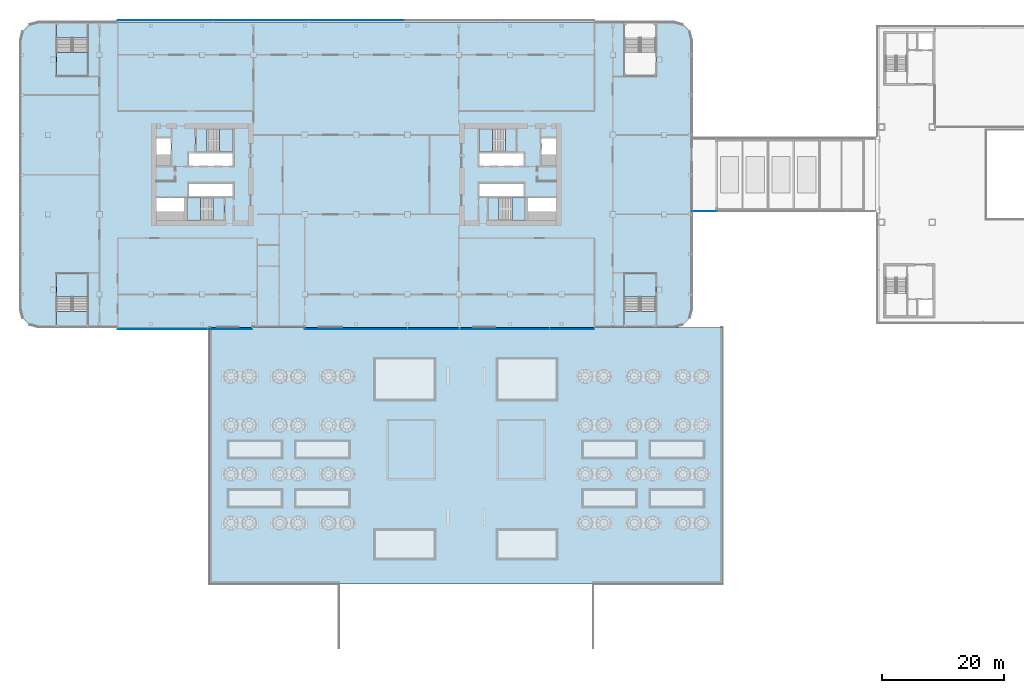
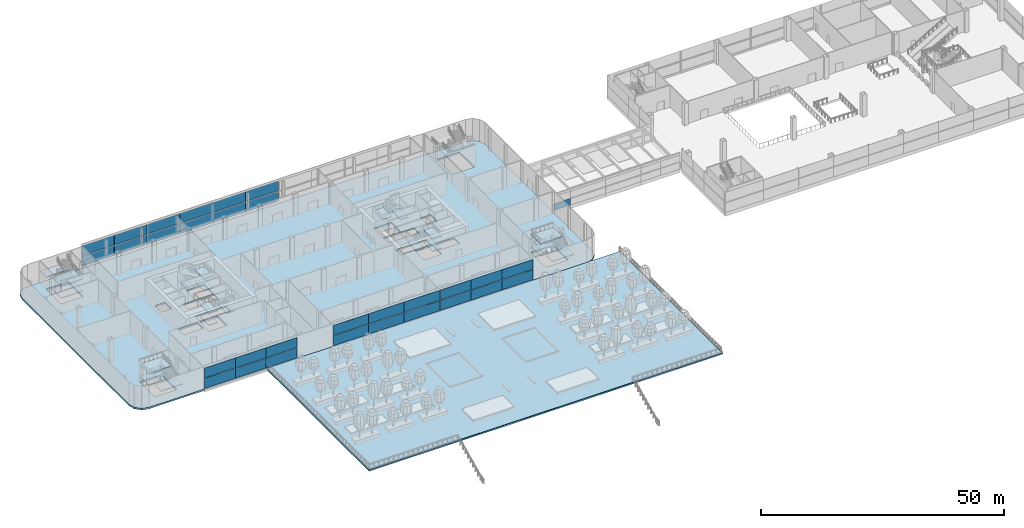
# One storey, part 26 of 100: 31 plates, 24 slabs, 12 elements without a shape of their own.
"""IFC4 building model written with IfcOpenShell, lengths in metres."""

from ifc_helpers import new_model, si_unit, direction, frame, origin, origin_2d, place, context, subcontext, project, spatial, polyline, rectangle, outline, extrude, material, layer, layer_set, type_object, element, aggregate, save


model = new_model("IFC4")

# Units and contexts
model_context = context("Model", 3, precision=1e-05, world=origin(), true_north=direction((0.0, 1.0)))
body_context = subcontext(model_context, "Body", "Model", "MODEL_VIEW")
ifc_project = project(units=[si_unit("LENGTHUNIT", "METRE"), si_unit("AREAUNIT", "SQUARE_METRE"), si_unit("VOLUMEUNIT", "CUBIC_METRE"), si_unit("PLANEANGLEUNIT", "RADIAN"), si_unit("MASSUNIT", "GRAM", prefix="KILO")], contexts=[model_context])

# Site, building, storey
site_placement = place(None, origin())
site = spatial("IfcSite", under=ifc_project, at=site_placement, CompositionType="ELEMENT")
building_placement = place(site_placement, origin())
building = spatial("IfcBuilding", under=site, at=building_placement, Name="Hakoniwa Tower and Hamabe Station Hall", CompositionType="ELEMENT")
storey_placement = place(building_placement, frame((0.0, 0.0, 9.0)))
storey = spatial("IfcBuildingStorey", under=building, at=storey_placement, Name="L02", CompositionType="ELEMENT", Elevation=9.0)

# Stair, slabs
ifc_material_1 = material(Name="Concrete C40", Category="concrete")
stair_type_1 = type_object("IfcStairType", Name="ESCAPE STAIR 1800", PredefinedType="HALF_TURN_STAIR", material=ifc_material_1)
stair_1_placement = place(storey_placement, origin())
stair_1 = element("IfcStair", 1, at=stair_1_placement, inside=storey, type_object=stair_type_1, Name="Escape stair ST-1 L02", PredefinedType="HALF_TURN_STAIR")
ifc_material_2 = material(Name="Concrete C40", Category="concrete")
ifc_layer_1 = layer(ifc_material_2, 0.25)
ifc_layer_set_1 = layer_set([ifc_layer_1], Name="CORE STAIR LANDING 250")
slab_type_1 = type_object("IfcSlabType", Name="CORE STAIR LANDING 250", PredefinedType="LANDING", material=ifc_layer_set_1)
slab_1_placement = place(storey_placement, frame((0.0, 0.0, 1.25)))
slab_1 = element("IfcSlab", 2, at=slab_1_placement, type_object=slab_type_1, Name="ST-1 landing 1", PredefinedType="LANDING", context=body_context, shape_type="SweptSolid", body=[
    extrude(outline(polyline([(-22.320068359375, 3.75), (-20.14990234375, 3.75), (-20.14990234375, 7.5), (-22.320068359375, 7.5), (-22.320068359375, 3.75)])), origin(), (0.0, 0.0, 1.0), 0.25),
])
slab_2_placement = place(storey_placement, frame((0.0, 0.0, 2.75)))
slab_2 = element("IfcSlab", 3, at=slab_2_placement, type_object=slab_type_1, Name="ST-1 landing 2", PredefinedType="LANDING", context=body_context, shape_type="SweptSolid", body=[
    extrude(outline(polyline([(-26.199951171875, 3.75), (-24.39990234375, 3.75), (-24.39990234375, 7.5), (-26.199951171875, 7.5), (-26.199951171875, 3.75)])), origin(), (0.0, 0.0, 1.0), 0.25),
])
slab_3_placement = place(storey_placement, frame((0.0, 0.0, 4.25)))
slab_3 = element("IfcSlab", 4, at=slab_3_placement, type_object=slab_type_1, Name="ST-1 landing 3", PredefinedType="LANDING", context=body_context, shape_type="SweptSolid", body=[
    extrude(outline(polyline([(-22.320068359375, 3.75), (-20.14990234375, 3.75), (-20.14990234375, 7.5), (-22.320068359375, 7.5), (-22.320068359375, 3.75)])), origin(), (0.0, 0.0, 1.0), 0.25),
])
aggregate(stair_1, [slab_1, slab_2, slab_3])

stair_2_placement = place(storey_placement, origin())
stair_2 = element("IfcStair", 5, at=stair_2_placement, inside=storey, type_object=stair_type_1, Name="Escape stair ST-2 L02", PredefinedType="HALF_TURN_STAIR")
slab_4_placement = place(storey_placement, frame((0.0, 0.0, 1.25)))
slab_4 = element("IfcSlab", 6, at=slab_4_placement, type_object=slab_type_1, Name="ST-2 landing 1", PredefinedType="LANDING", context=body_context, shape_type="SweptSolid", body=[
    extrude(outline(polyline([(-25.47998046875, -7.5), (-27.64990234375, -7.5), (-27.64990234375, -3.75), (-25.47998046875, -3.75), (-25.47998046875, -7.5)])), origin(), (0.0, 0.0, 1.0), 0.25),
])
slab_5_placement = place(storey_placement, frame((0.0, 0.0, 2.75)))
slab_5 = element("IfcSlab", 7, at=slab_5_placement, type_object=slab_type_1, Name="ST-2 landing 2", PredefinedType="LANDING", context=body_context, shape_type="SweptSolid", body=[
    extrude(outline(polyline([(-21.60009765625, -7.5), (-23.39990234375, -7.5), (-23.39990234375, -3.75), (-21.60009765625, -3.75), (-21.60009765625, -7.5)])), origin(), (0.0, 0.0, 1.0), 0.25),
])
slab_6_placement = place(storey_placement, frame((0.0, 0.0, 4.25)))
slab_6 = element("IfcSlab", 8, at=slab_6_placement, type_object=slab_type_1, Name="ST-2 landing 3", PredefinedType="LANDING", context=body_context, shape_type="SweptSolid", body=[
    extrude(outline(polyline([(-25.47998046875, -7.5), (-27.64990234375, -7.5), (-27.64990234375, -3.75), (-25.47998046875, -3.75), (-25.47998046875, -7.5)])), origin(), (0.0, 0.0, 1.0), 0.25),
])
aggregate(stair_2, [slab_4, slab_5, slab_6])

stair_3_placement = place(storey_placement, origin())
stair_3 = element("IfcStair", 9, at=stair_3_placement, inside=storey, type_object=stair_type_1, Name="Escape stair ST-3 L02", PredefinedType="HALF_TURN_STAIR")
slab_7_placement = place(storey_placement, frame((0.0, 0.0, 1.25)))
slab_7 = element("IfcSlab", 10, at=slab_7_placement, type_object=slab_type_1, Name="ST-3 landing 1", PredefinedType="LANDING", context=body_context, shape_type="SweptSolid", body=[
    extrude(outline(polyline([(22.320068359375, 3.75), (20.14990234375, 3.75), (20.14990234375, 7.5), (22.320068359375, 7.5), (22.320068359375, 3.75)])), origin(), (0.0, 0.0, 1.0), 0.25),
])
slab_8_placement = place(storey_placement, frame((0.0, 0.0, 2.75)))
slab_8 = element("IfcSlab", 11, at=slab_8_placement, type_object=slab_type_1, Name="ST-3 landing 2", PredefinedType="LANDING", context=body_context, shape_type="SweptSolid", body=[
    extrude(outline(polyline([(26.199951171875, 3.75), (24.39990234375, 3.75), (24.39990234375, 7.5), (26.199951171875, 7.5), (26.199951171875, 3.75)])), origin(), (0.0, 0.0, 1.0), 0.25),
])
slab_9_placement = place(storey_placement, frame((0.0, 0.0, 4.25)))
slab_9 = element("IfcSlab", 12, at=slab_9_placement, type_object=slab_type_1, Name="ST-3 landing 3", PredefinedType="LANDING", context=body_context, shape_type="SweptSolid", body=[
    extrude(outline(polyline([(22.320068359375, 3.75), (20.14990234375, 3.75), (20.14990234375, 7.5), (22.320068359375, 7.5), (22.320068359375, 3.75)])), origin(), (0.0, 0.0, 1.0), 0.25),
])
aggregate(stair_3, [slab_7, slab_8, slab_9])

stair_4_placement = place(storey_placement, origin())
stair_4 = element("IfcStair", 13, at=stair_4_placement, inside=storey, type_object=stair_type_1, Name="Escape stair ST-4 L02", PredefinedType="HALF_TURN_STAIR")
slab_10_placement = place(storey_placement, frame((0.0, 0.0, 1.25)))
slab_10 = element("IfcSlab", 14, at=slab_10_placement, type_object=slab_type_1, Name="ST-4 landing 1", PredefinedType="LANDING", context=body_context, shape_type="SweptSolid", body=[
    extrude(outline(polyline([(25.47998046875, -7.5), (27.64990234375, -7.5), (27.64990234375, -3.75), (25.47998046875, -3.75), (25.47998046875, -7.5)])), origin(), (0.0, 0.0, 1.0), 0.25),
])
slab_11_placement = place(storey_placement, frame((0.0, 0.0, 2.75)))
slab_11 = element("IfcSlab", 15, at=slab_11_placement, type_object=slab_type_1, Name="ST-4 landing 2", PredefinedType="LANDING", context=body_context, shape_type="SweptSolid", body=[
    extrude(outline(polyline([(21.60009765625, -7.5), (23.39990234375, -7.5), (23.39990234375, -3.75), (21.60009765625, -3.75), (21.60009765625, -7.5)])), origin(), (0.0, 0.0, 1.0), 0.25),
])
slab_12_placement = place(storey_placement, frame((0.0, 0.0, 4.25)))
slab_12 = element("IfcSlab", 16, at=slab_12_placement, type_object=slab_type_1, Name="ST-4 landing 3", PredefinedType="LANDING", context=body_context, shape_type="SweptSolid", body=[
    extrude(outline(polyline([(25.47998046875, -7.5), (27.64990234375, -7.5), (27.64990234375, -3.75), (25.47998046875, -3.75), (25.47998046875, -7.5)])), origin(), (0.0, 0.0, 1.0), 0.25),
])
aggregate(stair_4, [slab_10, slab_11, slab_12])

# Curtain wall, plates
ifc_material_3 = material(Name="Dark low-e laminated glass", Category="glass")
ifc_layer_2 = layer(ifc_material_3, 0.199951171875)
ifc_layer_set_2 = layer_set([ifc_layer_2], Name="CW-3 PODIUM LOBBY")
curtain_wall_type_1 = type_object("IfcCurtainWallType", Name="CW-3 PODIUM LOBBY", PredefinedType="NOTDEFINED", material=ifc_layer_set_2)
curtain_wall_1_placement = place(storey_placement, origin())
curtain_wall_1 = element("IfcCurtainWall", 17, at=curtain_wall_1_placement, inside=storey, type_object=curtain_wall_type_1, Name="Podium curtain wall L02 south 1", PredefinedType="NOTDEFINED")
ifc_material_4 = material(Name="Dark low-e laminated glass", Category="glass")
ifc_layer_3 = layer(ifc_material_4, 0.0380859375)
ifc_layer_set_3 = layer_set([ifc_layer_3], Name="CW-3 LOBBY GLASS UNIT")
plate_type_1 = type_object("IfcPlateType", Name="CW-3 LOBBY GLASS UNIT", PredefinedType="CURTAIN_PANEL", material=ifc_layer_set_3)
plate_1_placement = place(storey_placement, frame((-35.333251953125, -25.285888671875, 0.35009765625), z_axis=(0.0, 0.0, 1.0), x_axis=(1.0, 0.0, 0.0)))
plate_1 = element("IfcPlate", 18, at=plate_1_placement, type_object=plate_type_1, Name="CW-3 glass unit", PredefinedType="CURTAIN_PANEL", context=body_context, shape_type="SweptSolid", body=[
    extrude(rectangle(XDim=7.313232421875, YDim=0.0380859375, at=origin_2d()), origin(), (0.0, 0.0, 1.0), 2.489990234375),
])
plate_2_placement = place(storey_placement, frame((-35.333251953125, -25.285888671875, 2.9599609375), z_axis=(0.0, 0.0, 1.0), x_axis=(1.0, 0.0, 0.0)))
plate_2 = element("IfcPlate", 19, at=plate_2_placement, type_object=plate_type_1, Name="CW-3 glass unit", PredefinedType="CURTAIN_PANEL", context=body_context, shape_type="SweptSolid", body=[
    extrude(rectangle(XDim=7.313232421875, YDim=0.0380859375, at=origin_2d()), origin(), (0.0, 0.0, 1.0), 2.489990234375),
])
plate_3_placement = place(storey_placement, frame((-28.0, -25.285888671875, 0.35009765625), z_axis=(0.0, 0.0, 1.0), x_axis=(1.0, 0.0, 0.0)))
plate_3 = element("IfcPlate", 20, at=plate_3_placement, type_object=plate_type_1, Name="CW-3 glass unit", PredefinedType="CURTAIN_PANEL", context=body_context, shape_type="SweptSolid", body=[
    extrude(rectangle(XDim=7.313232421875, YDim=0.0380859375, at=origin_2d()), origin(), (0.0, 0.0, 1.0), 2.489990234375),
])
plate_4_placement = place(storey_placement, frame((-28.0, -25.285888671875, 2.9599609375), z_axis=(0.0, 0.0, 1.0), x_axis=(1.0, 0.0, 0.0)))
plate_4 = element("IfcPlate", 21, at=plate_4_placement, type_object=plate_type_1, Name="CW-3 glass unit", PredefinedType="CURTAIN_PANEL", context=body_context, shape_type="SweptSolid", body=[
    extrude(rectangle(XDim=7.313232421875, YDim=0.0380859375, at=origin_2d()), origin(), (0.0, 0.0, 1.0), 2.489990234375),
])
plate_5_placement = place(storey_placement, frame((-20.666748046875, -25.285888671875, 0.35009765625), z_axis=(0.0, 0.0, 1.0), x_axis=(1.0, 0.0, 0.0)))
plate_5 = element("IfcPlate", 22, at=plate_5_placement, type_object=plate_type_1, Name="CW-3 glass unit", PredefinedType="CURTAIN_PANEL", context=body_context, shape_type="SweptSolid", body=[
    extrude(rectangle(XDim=7.313232421875, YDim=0.0380859375, at=origin_2d()), origin(), (0.0, 0.0, 1.0), 2.489990234375),
])
plate_6_placement = place(storey_placement, frame((-20.666748046875, -25.285888671875, 2.9599609375), z_axis=(0.0, 0.0, 1.0), x_axis=(1.0, 0.0, 0.0)))
plate_6 = element("IfcPlate", 23, at=plate_6_placement, type_object=plate_type_1, Name="CW-3 glass unit", PredefinedType="CURTAIN_PANEL", context=body_context, shape_type="SweptSolid", body=[
    extrude(rectangle(XDim=7.313232421875, YDim=0.0380859375, at=origin_2d()), origin(), (0.0, 0.0, 1.0), 2.489990234375),
])
aggregate(curtain_wall_1, [plate_1, plate_2, plate_3, plate_4, plate_5, plate_6])

curtain_wall_2_placement = place(storey_placement, origin())
curtain_wall_2 = element("IfcCurtainWall", 24, at=curtain_wall_2_placement, inside=storey, type_object=curtain_wall_type_1, Name="Podium curtain wall L02 south 2", PredefinedType="NOTDEFINED")
plate_7_placement = place(storey_placement, frame((-4.199951171875, -25.285888671875, 0.35009765625), z_axis=(0.0, 0.0, 1.0), x_axis=(1.0, 0.0, 0.0)))
plate_7 = element("IfcPlate", 25, at=plate_7_placement, type_object=plate_type_1, Name="CW-3 glass unit", PredefinedType="CURTAIN_PANEL", context=body_context, shape_type="SweptSolid", body=[
    extrude(rectangle(XDim=8.3798828125, YDim=0.0380859375, at=origin_2d()), origin(), (0.0, 0.0, 1.0), 2.489990234375),
])
plate_8_placement = place(storey_placement, frame((-4.199951171875, -25.285888671875, 2.9599609375), z_axis=(0.0, 0.0, 1.0), x_axis=(1.0, 0.0, 0.0)))
plate_8 = element("IfcPlate", 26, at=plate_8_placement, type_object=plate_type_1, Name="CW-3 glass unit", PredefinedType="CURTAIN_PANEL", context=body_context, shape_type="SweptSolid", body=[
    extrude(rectangle(XDim=8.3798828125, YDim=0.0380859375, at=origin_2d()), origin(), (0.0, 0.0, 1.0), 2.489990234375),
])
plate_9_placement = place(storey_placement, frame((4.199951171875, -25.285888671875, 0.35009765625), z_axis=(0.0, 0.0, 1.0), x_axis=(1.0, 0.0, 0.0)))
plate_9 = element("IfcPlate", 27, at=plate_9_placement, type_object=plate_type_1, Name="CW-3 glass unit", PredefinedType="CURTAIN_PANEL", context=body_context, shape_type="SweptSolid", body=[
    extrude(rectangle(XDim=8.3798828125, YDim=0.0380859375, at=origin_2d()), origin(), (0.0, 0.0, 1.0), 2.489990234375),
])
plate_10_placement = place(storey_placement, frame((4.199951171875, -25.285888671875, 2.9599609375), z_axis=(0.0, 0.0, 1.0), x_axis=(1.0, 0.0, 0.0)))
plate_10 = element("IfcPlate", 28, at=plate_10_placement, type_object=plate_type_1, Name="CW-3 glass unit", PredefinedType="CURTAIN_PANEL", context=body_context, shape_type="SweptSolid", body=[
    extrude(rectangle(XDim=8.3798828125, YDim=0.0380859375, at=origin_2d()), origin(), (0.0, 0.0, 1.0), 2.489990234375),
])
plate_11_placement = place(storey_placement, frame((12.60009765625, -25.285888671875, 0.35009765625), z_axis=(0.0, 0.0, 1.0), x_axis=(1.0, 0.0, 0.0)))
plate_11 = element("IfcPlate", 29, at=plate_11_placement, type_object=plate_type_1, Name="CW-3 glass unit", PredefinedType="CURTAIN_PANEL", context=body_context, shape_type="SweptSolid", body=[
    extrude(rectangle(XDim=8.3798828125, YDim=0.0380859375, at=origin_2d()), origin(), (0.0, 0.0, 1.0), 2.489990234375),
])
plate_12_placement = place(storey_placement, frame((12.60009765625, -25.285888671875, 2.9599609375), z_axis=(0.0, 0.0, 1.0), x_axis=(1.0, 0.0, 0.0)))
plate_12 = element("IfcPlate", 30, at=plate_12_placement, type_object=plate_type_1, Name="CW-3 glass unit", PredefinedType="CURTAIN_PANEL", context=body_context, shape_type="SweptSolid", body=[
    extrude(rectangle(XDim=8.3798828125, YDim=0.0380859375, at=origin_2d()), origin(), (0.0, 0.0, 1.0), 2.489990234375),
])
aggregate(curtain_wall_2, [plate_7, plate_8, plate_9, plate_10, plate_11, plate_12])

curtain_wall_3_placement = place(storey_placement, origin())
curtain_wall_3 = element("IfcCurtainWall", 31, at=curtain_wall_3_placement, inside=storey, type_object=curtain_wall_type_1, Name="Podium curtain wall L02 south 3", PredefinedType="NOTDEFINED")
plate_13_placement = place(storey_placement, frame((20.666748046875, -25.285888671875, 0.35009765625), z_axis=(0.0, 0.0, 1.0), x_axis=(1.0, 0.0, 0.0)))
plate_13 = element("IfcPlate", 32, at=plate_13_placement, type_object=plate_type_1, Name="CW-3 glass unit", PredefinedType="CURTAIN_PANEL", context=body_context, shape_type="SweptSolid", body=[
    extrude(rectangle(XDim=7.313232421875, YDim=0.0380859375, at=origin_2d()), origin(), (0.0, 0.0, 1.0), 2.489990234375),
])
plate_14_placement = place(storey_placement, frame((20.666748046875, -25.285888671875, 2.9599609375), z_axis=(0.0, 0.0, 1.0), x_axis=(1.0, 0.0, 0.0)))
plate_14 = element("IfcPlate", 33, at=plate_14_placement, type_object=plate_type_1, Name="CW-3 glass unit", PredefinedType="CURTAIN_PANEL", context=body_context, shape_type="SweptSolid", body=[
    extrude(rectangle(XDim=7.313232421875, YDim=0.0380859375, at=origin_2d()), origin(), (0.0, 0.0, 1.0), 2.489990234375),
])
plate_15_placement = place(storey_placement, frame((28.0, -25.285888671875, 0.35009765625), z_axis=(0.0, 0.0, 1.0), x_axis=(1.0, 0.0, 0.0)))
plate_15 = element("IfcPlate", 34, at=plate_15_placement, type_object=plate_type_1, Name="CW-3 glass unit", PredefinedType="CURTAIN_PANEL", context=body_context, shape_type="SweptSolid", body=[
    extrude(rectangle(XDim=7.313232421875, YDim=0.0380859375, at=origin_2d()), origin(), (0.0, 0.0, 1.0), 2.489990234375),
])
plate_16_placement = place(storey_placement, frame((28.0, -25.285888671875, 2.9599609375), z_axis=(0.0, 0.0, 1.0), x_axis=(1.0, 0.0, 0.0)))
plate_16 = element("IfcPlate", 35, at=plate_16_placement, type_object=plate_type_1, Name="CW-3 glass unit", PredefinedType="CURTAIN_PANEL", context=body_context, shape_type="SweptSolid", body=[
    extrude(rectangle(XDim=7.313232421875, YDim=0.0380859375, at=origin_2d()), origin(), (0.0, 0.0, 1.0), 2.489990234375),
])
plate_17_placement = place(storey_placement, frame((35.333251953125, -25.285888671875, 0.35009765625), z_axis=(0.0, 0.0, 1.0), x_axis=(1.0, 0.0, 0.0)))
plate_17 = element("IfcPlate", 36, at=plate_17_placement, type_object=plate_type_1, Name="CW-3 glass unit", PredefinedType="CURTAIN_PANEL", context=body_context, shape_type="SweptSolid", body=[
    extrude(rectangle(XDim=7.313232421875, YDim=0.0380859375, at=origin_2d()), origin(), (0.0, 0.0, 1.0), 2.489990234375),
])
plate_18_placement = place(storey_placement, frame((35.333251953125, -25.285888671875, 2.9599609375), z_axis=(0.0, 0.0, 1.0), x_axis=(1.0, 0.0, 0.0)))
plate_18 = element("IfcPlate", 37, at=plate_18_placement, type_object=plate_type_1, Name="CW-3 glass unit", PredefinedType="CURTAIN_PANEL", context=body_context, shape_type="SweptSolid", body=[
    extrude(rectangle(XDim=7.313232421875, YDim=0.0380859375, at=origin_2d()), origin(), (0.0, 0.0, 1.0), 2.489990234375),
])
aggregate(curtain_wall_3, [plate_13, plate_14, plate_15, plate_16, plate_17, plate_18])

curtain_wall_4_placement = place(storey_placement, origin())
curtain_wall_4 = element("IfcCurtainWall", 38, at=curtain_wall_4_placement, inside=storey, type_object=curtain_wall_type_1, Name="Podium curtain wall L02 north 4", PredefinedType="NOTDEFINED")
plate_19_placement = place(storey_placement, frame((3.89990234375, 25.285888671875, 0.35009765625), z_axis=(0.0, 0.0, 1.0), x_axis=(-1.0, 0.0, 0.0)))
plate_19 = element("IfcPlate", 39, at=plate_19_placement, type_object=plate_type_1, Name="CW-3 glass unit", PredefinedType="CURTAIN_PANEL", context=body_context, shape_type="SweptSolid", body=[
    extrude(rectangle(XDim=7.780029296875, YDim=0.0380859375, at=origin_2d()), origin(), (0.0, 0.0, 1.0), 2.489990234375),
])
plate_20_placement = place(storey_placement, frame((3.89990234375, 25.285888671875, 2.9599609375), z_axis=(0.0, 0.0, 1.0), x_axis=(-1.0, 0.0, 0.0)))
plate_20 = element("IfcPlate", 40, at=plate_20_placement, type_object=plate_type_1, Name="CW-3 glass unit", PredefinedType="CURTAIN_PANEL", context=body_context, shape_type="SweptSolid", body=[
    extrude(rectangle(XDim=7.780029296875, YDim=0.0380859375, at=origin_2d()), origin(), (0.0, 0.0, 1.0), 2.489990234375),
])
plate_21_placement = place(storey_placement, frame((-3.89990234375, 25.285888671875, 0.35009765625), z_axis=(0.0, 0.0, 1.0), x_axis=(-1.0, 0.0, 0.0)))
plate_21 = element("IfcPlate", 41, at=plate_21_placement, type_object=plate_type_1, Name="CW-3 glass unit", PredefinedType="CURTAIN_PANEL", context=body_context, shape_type="SweptSolid", body=[
    extrude(rectangle(XDim=7.780029296875, YDim=0.0380859375, at=origin_2d()), origin(), (0.0, 0.0, 1.0), 2.489990234375),
])
plate_22_placement = place(storey_placement, frame((-3.89990234375, 25.285888671875, 2.9599609375), z_axis=(0.0, 0.0, 1.0), x_axis=(-1.0, 0.0, 0.0)))
plate_22 = element("IfcPlate", 42, at=plate_22_placement, type_object=plate_type_1, Name="CW-3 glass unit", PredefinedType="CURTAIN_PANEL", context=body_context, shape_type="SweptSolid", body=[
    extrude(rectangle(XDim=7.780029296875, YDim=0.0380859375, at=origin_2d()), origin(), (0.0, 0.0, 1.0), 2.489990234375),
])
plate_23_placement = place(storey_placement, frame((-11.699951171875, 25.285888671875, 0.35009765625), z_axis=(0.0, 0.0, 1.0), x_axis=(-1.0, 0.0, 0.0)))
plate_23 = element("IfcPlate", 43, at=plate_23_placement, type_object=plate_type_1, Name="CW-3 glass unit", PredefinedType="CURTAIN_PANEL", context=body_context, shape_type="SweptSolid", body=[
    extrude(rectangle(XDim=7.780029296875, YDim=0.0380859375, at=origin_2d()), origin(), (0.0, 0.0, 1.0), 2.489990234375),
])
plate_24_placement = place(storey_placement, frame((-11.699951171875, 25.285888671875, 2.9599609375), z_axis=(0.0, 0.0, 1.0), x_axis=(-1.0, 0.0, 0.0)))
plate_24 = element("IfcPlate", 44, at=plate_24_placement, type_object=plate_type_1, Name="CW-3 glass unit", PredefinedType="CURTAIN_PANEL", context=body_context, shape_type="SweptSolid", body=[
    extrude(rectangle(XDim=7.780029296875, YDim=0.0380859375, at=origin_2d()), origin(), (0.0, 0.0, 1.0), 2.489990234375),
])
plate_25_placement = place(storey_placement, frame((-19.5, 25.285888671875, 0.35009765625), z_axis=(0.0, 0.0, 1.0), x_axis=(-1.0, 0.0, 0.0)))
plate_25 = element("IfcPlate", 45, at=plate_25_placement, type_object=plate_type_1, Name="CW-3 glass unit", PredefinedType="CURTAIN_PANEL", context=body_context, shape_type="SweptSolid", body=[
    extrude(rectangle(XDim=7.780029296875, YDim=0.0380859375, at=origin_2d()), origin(), (0.0, 0.0, 1.0), 2.489990234375),
])
plate_26_placement = place(storey_placement, frame((-19.5, 25.285888671875, 2.9599609375), z_axis=(0.0, 0.0, 1.0), x_axis=(-1.0, 0.0, 0.0)))
plate_26 = element("IfcPlate", 46, at=plate_26_placement, type_object=plate_type_1, Name="CW-3 glass unit", PredefinedType="CURTAIN_PANEL", context=body_context, shape_type="SweptSolid", body=[
    extrude(rectangle(XDim=7.780029296875, YDim=0.0380859375, at=origin_2d()), origin(), (0.0, 0.0, 1.0), 2.489990234375),
])
plate_27_placement = place(storey_placement, frame((-27.300048828125, 25.285888671875, 0.35009765625), z_axis=(0.0, 0.0, 1.0), x_axis=(-1.0, 0.0, 0.0)))
plate_27 = element("IfcPlate", 47, at=plate_27_placement, type_object=plate_type_1, Name="CW-3 glass unit", PredefinedType="CURTAIN_PANEL", context=body_context, shape_type="SweptSolid", body=[
    extrude(rectangle(XDim=7.780029296875, YDim=0.0380859375, at=origin_2d()), origin(), (0.0, 0.0, 1.0), 2.489990234375),
])
plate_28_placement = place(storey_placement, frame((-27.300048828125, 25.285888671875, 2.9599609375), z_axis=(0.0, 0.0, 1.0), x_axis=(-1.0, 0.0, 0.0)))
plate_28 = element("IfcPlate", 48, at=plate_28_placement, type_object=plate_type_1, Name="CW-3 glass unit", PredefinedType="CURTAIN_PANEL", context=body_context, shape_type="SweptSolid", body=[
    extrude(rectangle(XDim=7.780029296875, YDim=0.0380859375, at=origin_2d()), origin(), (0.0, 0.0, 1.0), 2.489990234375),
])
plate_29_placement = place(storey_placement, frame((-35.10009765625, 25.285888671875, 0.35009765625), z_axis=(0.0, 0.0, 1.0), x_axis=(-1.0, 0.0, 0.0)))
plate_29 = element("IfcPlate", 49, at=plate_29_placement, type_object=plate_type_1, Name="CW-3 glass unit", PredefinedType="CURTAIN_PANEL", context=body_context, shape_type="SweptSolid", body=[
    extrude(rectangle(XDim=7.780029296875, YDim=0.0380859375, at=origin_2d()), origin(), (0.0, 0.0, 1.0), 2.489990234375),
])
plate_30_placement = place(storey_placement, frame((-35.10009765625, 25.285888671875, 2.9599609375), z_axis=(0.0, 0.0, 1.0), x_axis=(-1.0, 0.0, 0.0)))
plate_30 = element("IfcPlate", 50, at=plate_30_placement, type_object=plate_type_1, Name="CW-3 glass unit", PredefinedType="CURTAIN_PANEL", context=body_context, shape_type="SweptSolid", body=[
    extrude(rectangle(XDim=7.780029296875, YDim=0.0380859375, at=origin_2d()), origin(), (0.0, 0.0, 1.0), 2.489990234375),
])
aggregate(curtain_wall_4, [plate_19, plate_20, plate_21, plate_22, plate_23, plate_24, plate_25, plate_26, plate_27, plate_28, plate_29, plate_30])

# Curtain wall, plate
ifc_material_5 = material(Name="Dark low-e laminated glass", Category="glass")
ifc_layer_4 = layer(ifc_material_5, 0.199951171875)
ifc_layer_set_4 = layer_set([ifc_layer_4], Name="CW-5 ARCADE")
curtain_wall_type_2 = type_object("IfcCurtainWallType", Name="CW-5 ARCADE", PredefinedType="NOTDEFINED", material=ifc_layer_set_4)
curtain_wall_5_placement = place(storey_placement, origin())
curtain_wall_5 = element("IfcCurtainWall", 51, at=curtain_wall_5_placement, inside=storey, type_object=curtain_wall_type_2, Name="CW-5 curtain wall", PredefinedType="NOTDEFINED")
ifc_material_6 = material(Name="Dark low-e laminated glass", Category="glass")
ifc_layer_5 = layer(ifc_material_6, 0.033935546875)
ifc_layer_set_5 = layer_set([ifc_layer_5], Name="CW-5 ARCADE GLASS UNIT")
plate_type_2 = type_object("IfcPlateType", Name="CW-5 ARCADE GLASS UNIT", PredefinedType="CURTAIN_PANEL", material=ifc_layer_set_5)
plate_31_placement = place(storey_placement, frame((57.0, -5.986083984375, 0.35009765625), z_axis=(0.0, 0.0, 1.0), x_axis=(1.0, 0.0, 0.0)))
plate_31 = element("IfcPlate", 52, at=plate_31_placement, type_object=plate_type_2, Name="CW-5 glass unit", PredefinedType="CURTAIN_PANEL", context=body_context, shape_type="SweptSolid", body=[
    extrude(rectangle(XDim=3.97998046875, YDim=0.033935546875, at=origin_2d()), origin(), (0.0, 0.0, 1.0), 1.68994140625),
])
aggregate(curtain_wall_5, [plate_31])

# Slabs
ifc_material_7 = material(Name="Granite paving slabs on mortar bed", Category="masonry")
ifc_layer_6 = layer(ifc_material_7, 0.06005859375)
ifc_layer_set_6 = layer_set([ifc_layer_6], Name="DECK PAVING 60")
slab_type_2 = type_object("IfcSlabType", Name="DECK PAVING 60", PredefinedType="USERDEFINED", material=ifc_layer_set_6)
slab_13_placement = place(storey_placement, frame((0.0, 0.0, -0.06005859375)))
element("IfcSlab", 53, at=slab_13_placement, inside=storey, type_object=slab_type_2, Name="Deck paving", ObjectType="PAVING", PredefinedType="USERDEFINED", context=body_context, shape_type="SweptSolid", body=[
    extrude(outline(polyline([(59.85009765625, -25.0), (-23.85009765625, -25.0), (-23.85009765625, -66.85009765625), (-3.0, -66.85009765625), (-3.0, -67.0), (39.0, -67.0), (39.0, -66.85009765625), (59.85009765625, -66.85009765625), (59.85009765625, -25.0)])), origin(), (0.0, 0.0, 1.0), 0.06005859375),
])
ifc_material_8 = material(Name="Concrete C36", Category="concrete")
ifc_layer_7 = layer(ifc_material_8, 0.35009765625)
ifc_layer_set_7 = layer_set([ifc_layer_7], Name="DECK SLAB 350")
slab_type_3 = type_object("IfcSlabType", Name="DECK SLAB 350", PredefinedType="FLOOR", material=ifc_layer_set_7)
slab_14_placement = place(storey_placement, frame((0.0, 0.0, -0.409912109375)))
element("IfcSlab", 54, at=slab_14_placement, inside=storey, type_object=slab_type_3, Name="Raised garden deck slab", PredefinedType="FLOOR", context=body_context, shape_type="SweptSolid", body=[
    extrude(outline(polyline([(60.0, -67.0), (60.0, -25.0), (-24.0, -25.0), (-24.0, -67.0), (60.0, -67.0)])), origin(), (0.0, 0.0, 1.0), 0.349853515625),
])
ifc_material_9 = material(Name="Concrete C40", Category="concrete")
ifc_layer_8 = layer(ifc_material_9, 0.39990234375)
ifc_layer_set_8 = layer_set([ifc_layer_8], Name="PODIUM FLOOR SLAB 400")
slab_type_4 = type_object("IfcSlabType", Name="PODIUM FLOOR SLAB 400", PredefinedType="FLOOR", material=ifc_layer_set_8)
slab_15_placement = place(storey_placement, frame((0.0, 0.0, -0.39990234375)))
element("IfcSlab", 55, at=slab_15_placement, inside=storey, type_object=slab_type_4, Name="Floor slab L02", PredefinedType="FLOOR", context=body_context, shape_type="SweptSolid", body=[
    extrude(outline(polyline([(55.0, -22.0), (55.0, 22.0), (54.59814453125, 23.5), (53.5, 24.59814453125), (52.0, 25.0), (-52.0, 25.0), (-53.5, 24.59814453125), (-54.59814453125, 23.5), (-55.0, 22.0), (-55.0, -22.0), (-54.59814453125, -23.5), (-53.5, -24.59814453125), (-52.0, -25.0), (52.0, -25.0), (53.5, -24.59814453125), (54.59814453125, -23.5), (55.0, -22.0)]), holes=[polyline([(-27.39990234375, 1.449951171875), (-27.39990234375, 3.5), (-20.14990234375, 3.5), (-20.14990234375, 1.449951171875), (-27.39990234375, 1.449951171875)]), polyline([(-27.39990234375, -3.5), (-27.39990234375, -1.449951171875), (-20.14990234375, -1.449951171875), (-20.14990234375, -3.5), (-27.39990234375, -3.5)]), polyline([(-32.699951171875, 3.300048828125), (-32.699951171875, 5.949951171875), (-30.300048828125, 5.949951171875), (-30.300048828125, 3.300048828125), (-32.699951171875, 3.300048828125)]), polyline([(-32.699951171875, -6.0), (-32.699951171875, -3.75), (-28.14990234375, -3.75), (-28.14990234375, -6.0), (-32.699951171875, -6.0)]), polyline([(-24.389892578125, 3.75), (-24.389892578125, 7.5), (-20.14990234375, 7.5), (-20.14990234375, 3.75), (-24.389892578125, 3.75)]), polyline([(-27.64990234375, -7.5), (-27.64990234375, -3.75), (-23.409912109375, -3.75), (-23.409912109375, -7.5), (-27.64990234375, -7.5)]), polyline([(20.14990234375, 1.449951171875), (20.14990234375, 3.5), (27.39990234375, 3.5), (27.39990234375, 1.449951171875), (20.14990234375, 1.449951171875)]), polyline([(20.14990234375, -3.5), (20.14990234375, -1.449951171875), (27.39990234375, -1.449951171875), (27.39990234375, -3.5), (20.14990234375, -3.5)]), polyline([(30.300048828125, 3.300048828125), (30.300048828125, 5.949951171875), (32.699951171875, 5.949951171875), (32.699951171875, 3.300048828125), (30.300048828125, 3.300048828125)]), polyline([(28.14990234375, -6.0), (28.14990234375, -3.75), (32.699951171875, -3.75), (32.699951171875, -6.0), (28.14990234375, -6.0)]), polyline([(20.14990234375, 3.75), (20.14990234375, 7.5), (24.389892578125, 7.5), (24.389892578125, 3.75), (20.14990234375, 3.75)]), polyline([(23.409912109375, -7.5), (23.409912109375, -3.75), (27.64990234375, -3.75), (27.64990234375, -7.5), (23.409912109375, -7.5)]), polyline([(-49.050048828125, 16.14990234375), (-49.050048828125, 22.340087890625), (-43.85009765625, 22.340087890625), (-43.85009765625, 16.14990234375), (-49.050048828125, 16.14990234375)]), polyline([(43.85009765625, 16.14990234375), (43.85009765625, 22.340087890625), (49.050048828125, 22.340087890625), (49.050048828125, 16.14990234375), (43.85009765625, 16.14990234375)]), polyline([(43.85009765625, -22.340087890625), (43.85009765625, -16.14990234375), (49.050048828125, -16.14990234375), (49.050048828125, -22.340087890625), (43.85009765625, -22.340087890625)]), polyline([(-49.050048828125, -22.340087890625), (-49.050048828125, -16.14990234375), (-43.85009765625, -16.14990234375), (-43.85009765625, -22.340087890625), (-49.050048828125, -22.340087890625)])]), origin(), (0.0, 0.0, 1.0), 0.39990234375),
])

# Stair, slabs
ifc_material_10 = material(Name="Concrete C40", Category="concrete")
stair_type_2 = type_object("IfcStairType", Name="STAIR 2500 10X150", PredefinedType="HALF_TURN_STAIR", material=ifc_material_10)
stair_5_placement = place(storey_placement, origin())
stair_5 = element("IfcStair", 56, at=stair_5_placement, inside=storey, type_object=stair_type_2, Name="Escape stair PS1", PredefinedType="HALF_TURN_STAIR")
ifc_material_11 = material(Name="Concrete C40", Category="concrete")
ifc_layer_9 = layer(ifc_material_11, 0.25)
ifc_layer_set_9 = layer_set([ifc_layer_9], Name="STAIR LANDING 250")
slab_type_5 = type_object("IfcSlabType", Name="STAIR LANDING 250", PredefinedType="LANDING", material=ifc_layer_set_9)
slab_16_placement = place(storey_placement, frame((0.0, 0.0, 1.25)))
slab_16 = element("IfcSlab", 57, at=slab_16_placement, type_object=slab_type_5, Name="PS1 landing 1", PredefinedType="LANDING", context=body_context, shape_type="SweptSolid", body=[
    extrude(outline(polyline([(-49.050048828125, 20.010009765625), (-49.050048828125, 16.14990234375), (-43.85009765625, 16.14990234375), (-43.85009765625, 20.010009765625), (-49.050048828125, 20.010009765625)])), origin(), (0.0, 0.0, 1.0), 0.25),
])
slab_17_placement = place(storey_placement, frame((0.0, 0.0, 2.75)))
slab_17 = element("IfcSlab", 58, at=slab_17_placement, type_object=slab_type_5, Name="PS1 landing 2", PredefinedType="LANDING", context=body_context, shape_type="SweptSolid", body=[
    extrude(outline(polyline([(-49.050048828125, 24.85009765625), (-49.050048828125, 22.35009765625), (-43.85009765625, 22.35009765625), (-43.85009765625, 24.85009765625), (-49.050048828125, 24.85009765625)])), origin(), (0.0, 0.0, 1.0), 0.25),
])
slab_18_placement = place(storey_placement, frame((0.0, 0.0, 4.25)))
slab_18 = element("IfcSlab", 59, at=slab_18_placement, type_object=slab_type_5, Name="PS1 landing 3", PredefinedType="LANDING", context=body_context, shape_type="SweptSolid", body=[
    extrude(outline(polyline([(-49.050048828125, 20.010009765625), (-49.050048828125, 16.14990234375), (-43.85009765625, 16.14990234375), (-43.85009765625, 20.010009765625), (-49.050048828125, 20.010009765625)])), origin(), (0.0, 0.0, 1.0), 0.25),
])
aggregate(stair_5, [slab_16, slab_17, slab_18])

stair_6_placement = place(storey_placement, origin())
stair_6 = element("IfcStair", 60, at=stair_6_placement, inside=storey, type_object=stair_type_2, Name="Escape stair PS3", PredefinedType="HALF_TURN_STAIR")
slab_19_placement = place(storey_placement, frame((0.0, 0.0, 1.25)))
slab_19 = element("IfcSlab", 61, at=slab_19_placement, type_object=slab_type_5, Name="PS3 landing 1", PredefinedType="LANDING", context=body_context, shape_type="SweptSolid", body=[
    extrude(outline(polyline([(49.050048828125, -20.010009765625), (49.050048828125, -16.14990234375), (43.85009765625, -16.14990234375), (43.85009765625, -20.010009765625), (49.050048828125, -20.010009765625)])), origin(), (0.0, 0.0, 1.0), 0.25),
])
slab_20_placement = place(storey_placement, frame((0.0, 0.0, 2.75)))
slab_20 = element("IfcSlab", 62, at=slab_20_placement, type_object=slab_type_5, Name="PS3 landing 2", PredefinedType="LANDING", context=body_context, shape_type="SweptSolid", body=[
    extrude(outline(polyline([(49.050048828125, -24.85009765625), (49.050048828125, -22.35009765625), (43.85009765625, -22.35009765625), (43.85009765625, -24.85009765625), (49.050048828125, -24.85009765625)])), origin(), (0.0, 0.0, 1.0), 0.25),
])
slab_21_placement = place(storey_placement, frame((0.0, 0.0, 4.25)))
slab_21 = element("IfcSlab", 63, at=slab_21_placement, type_object=slab_type_5, Name="PS3 landing 3", PredefinedType="LANDING", context=body_context, shape_type="SweptSolid", body=[
    extrude(outline(polyline([(49.050048828125, -20.010009765625), (49.050048828125, -16.14990234375), (43.85009765625, -16.14990234375), (43.85009765625, -20.010009765625), (49.050048828125, -20.010009765625)])), origin(), (0.0, 0.0, 1.0), 0.25),
])
aggregate(stair_6, [slab_19, slab_20, slab_21])

stair_7_placement = place(storey_placement, origin())
stair_7 = element("IfcStair", 64, at=stair_7_placement, inside=storey, type_object=stair_type_2, Name="Escape stair PS4", PredefinedType="HALF_TURN_STAIR")
slab_22_placement = place(storey_placement, frame((0.0, 0.0, 1.25)))
slab_22 = element("IfcSlab", 65, at=slab_22_placement, type_object=slab_type_5, Name="PS4 landing 1", PredefinedType="LANDING", context=body_context, shape_type="SweptSolid", body=[
    extrude(outline(polyline([(-43.85009765625, -20.010009765625), (-43.85009765625, -16.14990234375), (-49.050048828125, -16.14990234375), (-49.050048828125, -20.010009765625), (-43.85009765625, -20.010009765625)])), origin(), (0.0, 0.0, 1.0), 0.25),
])
slab_23_placement = place(storey_placement, frame((0.0, 0.0, 2.75)))
slab_23 = element("IfcSlab", 66, at=slab_23_placement, type_object=slab_type_5, Name="PS4 landing 2", PredefinedType="LANDING", context=body_context, shape_type="SweptSolid", body=[
    extrude(outline(polyline([(-43.85009765625, -24.85009765625), (-43.85009765625, -22.35009765625), (-49.050048828125, -22.35009765625), (-49.050048828125, -24.85009765625), (-43.85009765625, -24.85009765625)])), origin(), (0.0, 0.0, 1.0), 0.25),
])
slab_24_placement = place(storey_placement, frame((0.0, 0.0, 4.25)))
slab_24 = element("IfcSlab", 67, at=slab_24_placement, type_object=slab_type_5, Name="PS4 landing 3", PredefinedType="LANDING", context=body_context, shape_type="SweptSolid", body=[
    extrude(outline(polyline([(-43.85009765625, -20.010009765625), (-43.85009765625, -16.14990234375), (-49.050048828125, -16.14990234375), (-49.050048828125, -20.010009765625), (-43.85009765625, -20.010009765625)])), origin(), (0.0, 0.0, 1.0), 0.25),
])
aggregate(stair_7, [slab_22, slab_23, slab_24])

save(model, "model.ifc")
